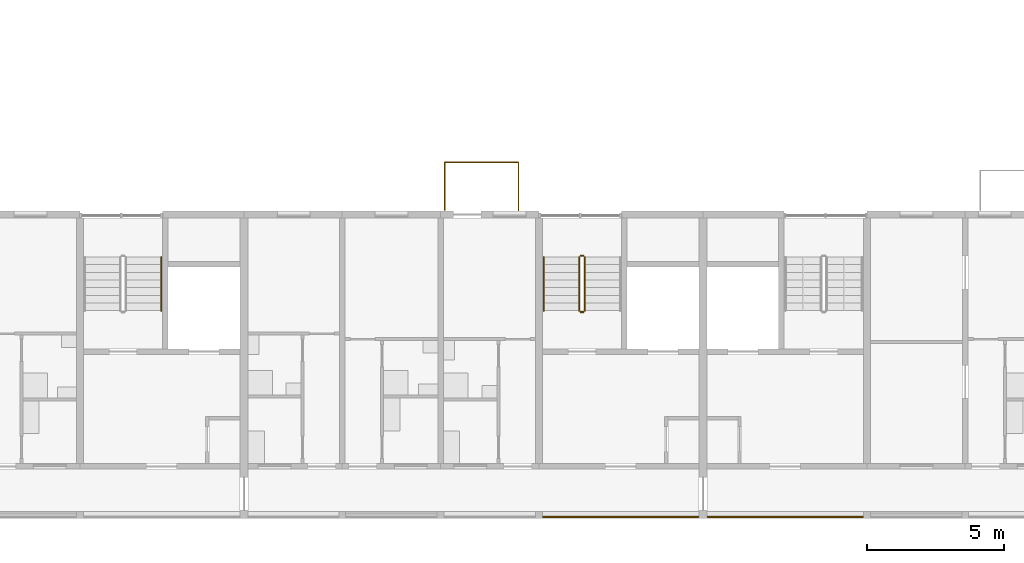
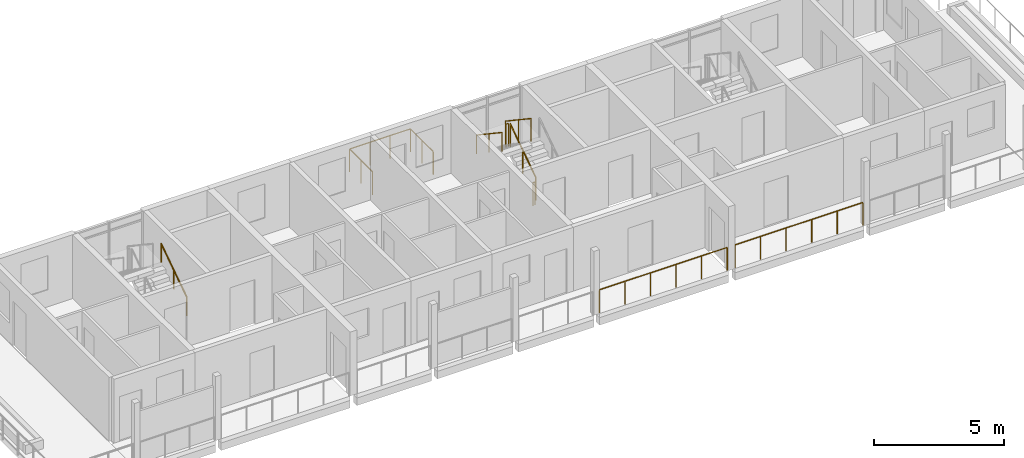
# One storey, part 52 of 64: 9 railings.
"""IFC4 building model written with IfcOpenShell, lengths in metres."""

import ifcopenshell
import ifcopenshell.guid

model = None  # the IFC model being written
_history = None  # IfcOwnerHistory: only IFC2X3 demands one
_inside = {}  # id of a spatial element -> (the spatial element, [elements in it])
_under = {}  # id of a project, library or spatial element -> (it, [spatial elements below it])
_declared = {}  # id of a project -> (the project, [libraries it declares])
_typed = {}  # id of a type object -> (the type object, [elements of that type])
_made_of = {}  # id of a material, layer set ... -> (it, [elements and type objects made of it])


def new_model(schema):
    """Start an empty IFC model of exactly this schema.

    Asked for "IFC4X3", IfcOpenShell would pick the latest addendum, in which some entities
    have other attributes; the version numbers below select the first issue.
    IFC2X3 requires an IfcOwnerHistory on every rooted entity: one is made here for all.
    """
    global model, _history
    if schema == "IFC4X3":
        model = ifcopenshell.file(schema_version=(4, 3, 0, 0))
    else:
        model = ifcopenshell.file(schema=schema)
    _inside.clear()
    _under.clear()
    _declared.clear()
    _typed.clear()
    _made_of.clear()
    _history = None
    if model.schema == "IFC2X3":
        org = make("IfcOrganization", Name="unknown")
        user = make(
            "IfcPersonAndOrganization",
            ThePerson=make("IfcPerson", FamilyName="unknown"),
            TheOrganization=org,
        )
        app = make(
            "IfcApplication",
            ApplicationDeveloper=org,
            Version="unknown",
            ApplicationFullName="unknown",
            ApplicationIdentifier="unknown",
        )
        _history = make(
            "IfcOwnerHistory",
            OwningUser=user,
            OwningApplication=app,
            ChangeAction="ADDED",
            CreationDate=0,
        )
    return model


def make(cls, **values):
    """One entity of the class cls with the attributes given. An attribute that is None is left unset."""
    return model.create_entity(
        cls, **{name: value for name, value in values.items() if value is not None}
    )


def rooted(cls, **values):
    """An entity with a GlobalId (a new one), such as an element, a storey or a relation."""
    return make(cls, GlobalId=ifcopenshell.guid.new(), OwnerHistory=_history, **values)


def si_unit(unit_type, name, prefix=None):
    """IfcSIUnit, for example si_unit("LENGTHUNIT", "METRE", prefix="MILLI")."""
    return make("IfcSIUnit", UnitType=unit_type, Prefix=prefix, Name=name)


def assignment(units):
    """IfcUnitAssignment: the units of a project."""
    return None if units is None else make("IfcUnitAssignment", Units=units)


def point(xyz):
    """IfcCartesianPoint."""
    return None if xyz is None else make("IfcCartesianPoint", Coordinates=xyz)


def direction(xyz):
    """IfcDirection."""
    return None if xyz is None else make("IfcDirection", DirectionRatios=xyz)


def frame(location, z_axis=None, x_axis=None):
    """IfcAxis2Placement3D, a coordinate frame: its origin and axes. An axis left out is left unset."""
    return make(
        "IfcAxis2Placement3D",
        Location=point(location),
        Axis=direction(z_axis),
        RefDirection=direction(x_axis),
    )


def frame_2d(location, x_axis=None):
    """IfcAxis2Placement2D, a coordinate frame in the plane: its origin and x axis."""
    return make(
        "IfcAxis2Placement2D", Location=point(location), RefDirection=direction(x_axis)
    )


def origin():
    """The frame at (0, 0, 0) with its axes left unset."""
    return frame((0.0, 0.0, 0.0))


def origin_2d():
    """The frame at (0, 0) in the plane with its x axis left unset."""
    return frame_2d((0.0, 0.0))


def place(relative_to, where):
    """IfcLocalPlacement: puts the frame where relative to a parent placement (None: the world)."""
    return make(
        "IfcLocalPlacement", PlacementRelTo=relative_to, RelativePlacement=where
    )


def context(
    kind, dimensions, precision=None, world=None, true_north=None, identifier=None
):
    """IfcGeometricRepresentationContext, for example the 3D "Model" context."""
    return make(
        "IfcGeometricRepresentationContext",
        ContextIdentifier=identifier,
        ContextType=kind,
        CoordinateSpaceDimension=dimensions,
        Precision=precision,
        WorldCoordinateSystem=world,
        TrueNorth=true_north,
    )


def subcontext(parent, identifier, kind, view, scale=None):
    """IfcGeometricRepresentationSubContext, for example "Body" below "Model"."""
    return make(
        "IfcGeometricRepresentationSubContext",
        ContextIdentifier=identifier,
        ContextType=kind,
        ParentContext=parent,
        TargetScale=scale,
        TargetView=view,
    )


def project(units=None, contexts=None):
    """IfcProject with its units and contexts."""
    return rooted(
        "IfcProject",
        Name="project",
        RepresentationContexts=contexts,
        UnitsInContext=assignment(units),
    )


def spatial(cls, under=None, at=None, **own):
    """A site, building, storey or space (cls), placed at a placement, below another one or the project."""
    s = rooted(cls, ObjectPlacement=at, **own)
    if under is not None:
        _under.setdefault(under.id(), (under, []))[1].append(s)
    return s


def profile(cls, at=None, kind="AREA", **sizes):
    """A parametric profile (cls). Its sizes go by their IFC names, for example OverallWidth=200.0."""
    return make(cls, ProfileType=kind, Position=at, **sizes)


def circle(**sizes):
    """IfcCircleProfileDef."""
    return profile("IfcCircleProfileDef", **sizes)


def extrude(swept, where, along, depth):
    """IfcExtrudedAreaSolid: the profile swept, set in the frame where, extruded along a direction by depth."""
    return make(
        "IfcExtrudedAreaSolid",
        SweptArea=swept,
        Position=where,
        ExtrudedDirection=direction(along),
        Depth=depth,
    )


def shape(context_of_items, identifier, shape_type, items):
    """IfcShapeRepresentation: the items that make up one representation, for example the "Body"."""
    return make(
        "IfcShapeRepresentation",
        ContextOfItems=context_of_items,
        RepresentationIdentifier=identifier,
        RepresentationType=shape_type,
        Items=items,
    )


def material(Name=None, Category=None):
    """IfcMaterial."""
    return make("IfcMaterial", Name=Name, Category=Category)


def made_of(thing, what):
    """Note that an element or type object is made of a material, layer set ...; save() writes the relation."""
    if what is not None:
        _made_of.setdefault(what.id(), (what, []))[1].append(thing)
    return thing


def type_object(cls, material=None, **own):
    """A type object (cls), such as IfcWallType, which elements share."""
    return made_of(rooted(cls, **own), material)


def element(
    cls,
    number,
    at=None,
    inside=None,
    cuts=None,
    type_object=None,
    material=None,
    context=None,
    identifier="Body",
    shape_type=None,
    held_by="IfcProductDefinitionShape",
    body=None,
    shapes=None,
    **own,
):
    """One element of the class cls, such as IfcWall. Its Tag is "e" and its number.

    at: its placement. inside: the storey or other place that contains it. cuts: it is an
    opening in that element (IfcRelVoidsElement). A single representation is given by context,
    identifier, shape_type and body (its items); several are given by shapes. held_by: the class
    of the entity that holds the representations. save() writes the other relations.
    """
    e = rooted(cls, Tag="e%d" % number, ObjectPlacement=at, **own)
    if body is not None:
        shapes = [shape(context, identifier, shape_type, body)]
    if shapes is not None:
        e.Representation = make(held_by, Representations=shapes)
    if inside is not None:
        _inside.setdefault(inside.id(), (inside, []))[1].append(e)
    if cuts is not None:
        rooted(
            "IfcRelVoidsElement", RelatingBuildingElement=cuts, RelatedOpeningElement=e
        )
    if type_object is not None:
        _typed.setdefault(type_object.id(), (type_object, []))[1].append(e)
    return made_of(e, material)


def aggregate(whole, parts):
    """IfcRelAggregates: a whole, such as a stair, and the parts it consists of."""
    return rooted("IfcRelAggregates", RelatingObject=whole, RelatedObjects=parts)


def save(model, path):
    """Write the relations noted so far, then the file.

    IfcRelAggregates (storeys below a building ...), IfcRelContainedInSpatialStructure (elements
    in a storey), IfcRelDefinesByType, IfcRelAssociatesMaterial and IfcRelDeclares: one each for
    every whole, place, type object, material and project.
    """
    for whole, parts in _under.values():
        aggregate(whole, parts)
    for where, things in _inside.values():
        rooted(
            "IfcRelContainedInSpatialStructure",
            RelatedElements=things,
            RelatingStructure=where,
        )
    for kind, things in _typed.values():
        rooted("IfcRelDefinesByType", RelatedObjects=things, RelatingType=kind)
    for what, things in _made_of.values():
        rooted("IfcRelAssociatesMaterial", RelatedObjects=things, RelatingMaterial=what)
    for by, libraries in _declared.values():
        rooted("IfcRelDeclares", RelatingContext=by, RelatedDefinitions=libraries)
    model.write(path)


model = new_model("IFC4")

# Units and contexts
model_context = context("Model", 3, precision=1e-05, world=origin(), true_north=direction((0.0, 1.0)))
body_context = subcontext(model_context, "Body", "Model", "MODEL_VIEW")
ifc_project = project(units=[si_unit("LENGTHUNIT", "METRE"), si_unit("AREAUNIT", "SQUARE_METRE"), si_unit("VOLUMEUNIT", "CUBIC_METRE"), si_unit("PLANEANGLEUNIT", "RADIAN"), si_unit("MASSUNIT", "GRAM", prefix="KILO")], contexts=[model_context])

# Site, building, storey
site_placement = place(None, origin())
site = spatial("IfcSite", under=ifc_project, at=site_placement, CompositionType="ELEMENT")
building_placement = place(site_placement, origin())
building = spatial("IfcBuilding", under=site, at=building_placement, Name="Ridgestep Commons", CompositionType="ELEMENT")
storey_placement = place(building_placement, frame((0.0, 0.0, 33.0)))
storey = spatial("IfcBuildingStorey", under=building, at=storey_placement, Name="L11", CompositionType="ELEMENT", Elevation=33.0)

# Railings
ifc_material_1 = material(Name="Structural steel S355JR", Category="steel")
railing_type_1 = type_object("IfcRailingType", Name="Guard 1100", PredefinedType="GUARDRAIL", material=ifc_material_1)
for number, where, name in (
    (1, (90.14599609375, 11.800048828125, 0.0), "Gallery guard A 11.7"),
    (2, (96.1708984375, 11.800048828125, 0.0), "Gallery guard A 11.8"),
):
    element("IfcRailing", number, at=place(storey_placement, frame(where)), inside=storey, type_object=railing_type_1, Name=name, PredefinedType="GUARDRAIL", context=body_context, shape_type="SweptSolid", body=[
        extrude(circle(Radius=0.02392578125, at=origin_2d()), frame((0.0, 0.0, 1.076171875), z_axis=(1.0, 0.0, 0.0), x_axis=(0.0, 1.0, 0.0)), (0.0, 0.0, 1.0), 5.68310546875),
        extrude(circle(Radius=0.02099609375, at=origin_2d()), origin(), (0.0, 0.0, 1.0), 1.052001953125),
        extrude(circle(Radius=0.02099609375, at=origin_2d()), frame((1.13671875, 0.0, 0.0)), (0.0, 0.0, 1.0), 1.052001953125),
        extrude(circle(Radius=0.02099609375, at=origin_2d()), frame((2.273193359375, 0.0, 0.0)), (0.0, 0.0, 1.0), 1.052001953125),
        extrude(circle(Radius=0.02099609375, at=origin_2d()), frame((3.409912109375, 0.0, 0.0)), (0.0, 0.0, 1.0), 1.052001953125),
        extrude(circle(Radius=0.02099609375, at=origin_2d()), frame((4.54638671875, 0.0, 0.0)), (0.0, 0.0, 1.0), 1.052001953125),
        extrude(circle(Radius=0.02099609375, at=origin_2d()), frame((5.68310546875, 0.0, 0.0)), (0.0, 0.0, 1.0), 1.052001953125),
    ])
ifc_material_2 = material(Name="Structural steel S355JR", Category="steel")
railing_type_2 = type_object("IfcRailingType", Name="Stair guard 1100", PredefinedType="GUARDRAIL", material=ifc_material_2)
railing_1_placement = place(storey_placement, frame((91.675048828125, 19.35009765625, 0.1875)))
element("IfcRailing", 3, at=railing_1_placement, inside=storey, type_object=railing_type_2, Name="L11 A5C stair guard 1", PredefinedType="GUARDRAIL", context=body_context, shape_type="SweptSolid", body=[
    extrude(circle(Radius=0.02392578125, at=origin_2d()), frame((0.0, 0.0, 1.076171875), z_axis=(0.0, 0.830902050051, 0.556418712142), x_axis=(-1.0, 0.0, 0.0)), (0.0, 0.0, 1.0), 2.35888671875),
    extrude(circle(Radius=0.02099609375, at=origin_2d()), origin(), (0.0, 0.0, 1.0), 1.052001953125),
    extrude(circle(Radius=0.02099609375, at=origin_2d()), frame((0.0, 0.97998046875, 0.65625)), (0.0, 0.0, 1.0), 1.052001953125),
    extrude(circle(Radius=0.02099609375, at=origin_2d()), frame((0.0, 1.9599609375, 1.3125)), (0.0, 0.0, 1.0), 1.052001953125),
])
railing_2_placement = place(storey_placement, frame((91.625, 21.360107421875, 1.5)))
element("IfcRailing", 4, at=railing_2_placement, inside=storey, type_object=railing_type_2, Name="L11 A5C stair guard 2", PredefinedType="GUARDRAIL", context=body_context, shape_type="SweptSolid", body=[
    extrude(circle(Radius=0.02392578125, at=origin_2d()), frame((0.0, 0.0, 1.076171875), z_axis=(-1.0, 0.0, 0.0), x_axis=(0.0, -1.0, 0.0)), (0.0, 0.0, 1.0), 0.10009765625),
    extrude(circle(Radius=0.02099609375, at=origin_2d()), origin(), (0.0, 0.0, 1.0), 1.052001953125),
    extrude(circle(Radius=0.02099609375, at=origin_2d()), frame((-0.10009765625, 0.0, 0.0)), (0.0, 0.0, 1.0), 1.052001953125),
])
railing_3_placement = place(storey_placement, frame((91.47509765625, 21.31005859375, 1.6875)))
element("IfcRailing", 5, at=railing_3_placement, inside=storey, type_object=railing_type_2, Name="L11 A5C stair guard 3", PredefinedType="GUARDRAIL", context=body_context, shape_type="SweptSolid", body=[
    extrude(circle(Radius=0.02392578125, at=origin_2d()), frame((0.0, 0.0, 1.076171875), z_axis=(0.0, -0.830902050051, 0.556418712142), x_axis=(1.0, 0.0, 0.0)), (0.0, 0.0, 1.0), 2.35888671875),
    extrude(circle(Radius=0.02099609375, at=origin_2d()), origin(), (0.0, 0.0, 1.0), 1.052001953125),
    extrude(circle(Radius=0.02099609375, at=origin_2d()), frame((0.0, -0.97998046875, 0.65625)), (0.0, 0.0, 1.0), 1.052001953125),
    extrude(circle(Radius=0.02099609375, at=origin_2d()), frame((0.0, -1.9599609375, 1.3125)), (0.0, 0.0, 1.0), 1.052001953125),
])
railing_4_placement = place(storey_placement, frame((91.625, 19.300048828125, 0.0)))
element("IfcRailing", 6, at=railing_4_placement, inside=storey, type_object=railing_type_2, Name="L11 A5C stair guard 4", PredefinedType="GUARDRAIL", context=body_context, shape_type="SweptSolid", body=[
    extrude(circle(Radius=0.02392578125, at=origin_2d()), frame((0.0, 0.0, 1.076171875), z_axis=(-1.0, 0.0, 0.0), x_axis=(0.0, -1.0, 0.0)), (0.0, 0.0, 1.0), 0.10009765625),
    extrude(circle(Radius=0.02099609375, at=origin_2d()), origin(), (0.0, 0.0, 1.0), 1.052001953125),
    extrude(circle(Radius=0.02099609375, at=origin_2d()), frame((-0.10009765625, 0.0, 0.0)), (0.0, 0.0, 1.0), 1.052001953125),
])
ifc_material_3 = material(Name="Structural steel S355JR", Category="steel")
railing_type_3 = type_object("IfcRailingType", Name="Stair handrail 900", PredefinedType="HANDRAIL", material=ifc_material_3)
railing_5_placement = place(storey_placement, frame((76.175048828125, 19.35009765625, 0.1875)))
element("IfcRailing", 7, at=railing_5_placement, inside=storey, type_object=railing_type_3, Name="L11 A4C stair handrail 1", PredefinedType="HANDRAIL", context=body_context, shape_type="SweptSolid", body=[
    extrude(circle(Radius=0.02392578125, at=origin_2d()), frame((0.0, 0.0, 0.8759765625), z_axis=(0.0, 0.830902050051, 0.556418712142), x_axis=(-1.0, 0.0, 0.0)), (0.0, 0.0, 1.0), 2.35888671875),
    extrude(circle(Radius=0.02099609375, at=origin_2d()), origin(), (0.0, 0.0, 1.0), 0.851806640625),
    extrude(circle(Radius=0.02099609375, at=origin_2d()), frame((0.0, 0.97998046875, 0.65625)), (0.0, 0.0, 1.0), 0.851806640625),
    extrude(circle(Radius=0.02099609375, at=origin_2d()), frame((0.0, 1.9599609375, 1.3125)), (0.0, 0.0, 1.0), 0.851806640625),
])
railing_6_placement = place(storey_placement, frame((90.175048828125, 21.31005859375, 1.6875)))
element("IfcRailing", 8, at=railing_6_placement, inside=storey, type_object=railing_type_3, Name="L11 A5C stair handrail 2", PredefinedType="HANDRAIL", context=body_context, shape_type="SweptSolid", body=[
    extrude(circle(Radius=0.02392578125, at=origin_2d()), frame((0.0, 0.0, 0.8759765625), z_axis=(0.0, -0.830902050051, 0.556418712142), x_axis=(1.0, 0.0, 0.0)), (0.0, 0.0, 1.0), 2.35888671875),
    extrude(circle(Radius=0.02099609375, at=origin_2d()), origin(), (0.0, 0.0, 1.0), 0.851806640625),
    extrude(circle(Radius=0.02099609375, at=origin_2d()), frame((0.0, -0.97998046875, 0.65625)), (0.0, 0.0, 1.0), 0.851806640625),
    extrude(circle(Radius=0.02099609375, at=origin_2d()), frame((0.0, -1.9599609375, 1.3125)), (0.0, 0.0, 1.0), 0.851806640625),
])
ifc_material_4 = material(Name="Weathering steel S355J2W", Category="steel")
railing_type_4 = type_object("IfcRailingType", Name="Tray guard 1100", PredefinedType="GUARDRAIL", material=ifc_material_4)
railing_7_placement = place(storey_placement, frame((86.551025390625, 23.02099609375, 0.0)))
element("IfcRailing", 9, at=railing_7_placement, inside=storey, type_object=railing_type_4, Name="Tray guard A5T3-11", PredefinedType="GUARDRAIL", context=body_context, shape_type="SweptSolid", body=[
    extrude(circle(Radius=0.02392578125, at=origin_2d()), frame((0.0, 0.0, 1.076171875), z_axis=(0.0, 1.0, 0.0), x_axis=(-1.0, 0.0, 0.0)), (0.0, 0.0, 1.0), 1.758056640625),
    extrude(circle(Radius=0.02392578125, at=origin_2d()), frame((0.0, 1.758056640625, 1.076171875), z_axis=(1.0, 0.0, 0.0), x_axis=(0.0, 1.0, 0.0)), (0.0, 0.0, 1.0), 2.697998046875),
    extrude(circle(Radius=0.02392578125, at=origin_2d()), frame((2.697998046875, 1.758056640625, 1.076171875), z_axis=(0.0, -1.0, 0.0), x_axis=(1.0, 0.0, 0.0)), (0.0, 0.0, 1.0), 1.758056640625),
    extrude(circle(Radius=0.02099609375, at=origin_2d()), origin(), (0.0, 0.0, 1.0), 1.052001953125),
    extrude(circle(Radius=0.02099609375, at=origin_2d()), frame((0.0, 0.87890625, 0.0)), (0.0, 0.0, 1.0), 1.052001953125),
    extrude(circle(Radius=0.02099609375, at=origin_2d()), frame((0.0, 1.758056640625, 0.0)), (0.0, 0.0, 1.0), 1.052001953125),
    extrude(circle(Radius=0.02099609375, at=origin_2d()), frame((0.8994140625, 1.758056640625, 0.0)), (0.0, 0.0, 1.0), 1.052001953125),
    extrude(circle(Radius=0.02099609375, at=origin_2d()), frame((1.798583984375, 1.758056640625, 0.0)), (0.0, 0.0, 1.0), 1.052001953125),
    extrude(circle(Radius=0.02099609375, at=origin_2d()), frame((2.697998046875, 1.758056640625, 0.0)), (0.0, 0.0, 1.0), 1.052001953125),
    extrude(circle(Radius=0.02099609375, at=origin_2d()), frame((2.697998046875, 0.87890625, 0.0)), (0.0, 0.0, 1.0), 1.052001953125),
    extrude(circle(Radius=0.02099609375, at=origin_2d()), frame((2.697998046875, 0.0, 0.0)), (0.0, 0.0, 1.0), 1.052001953125),
])

save(model, "model.ifc")
